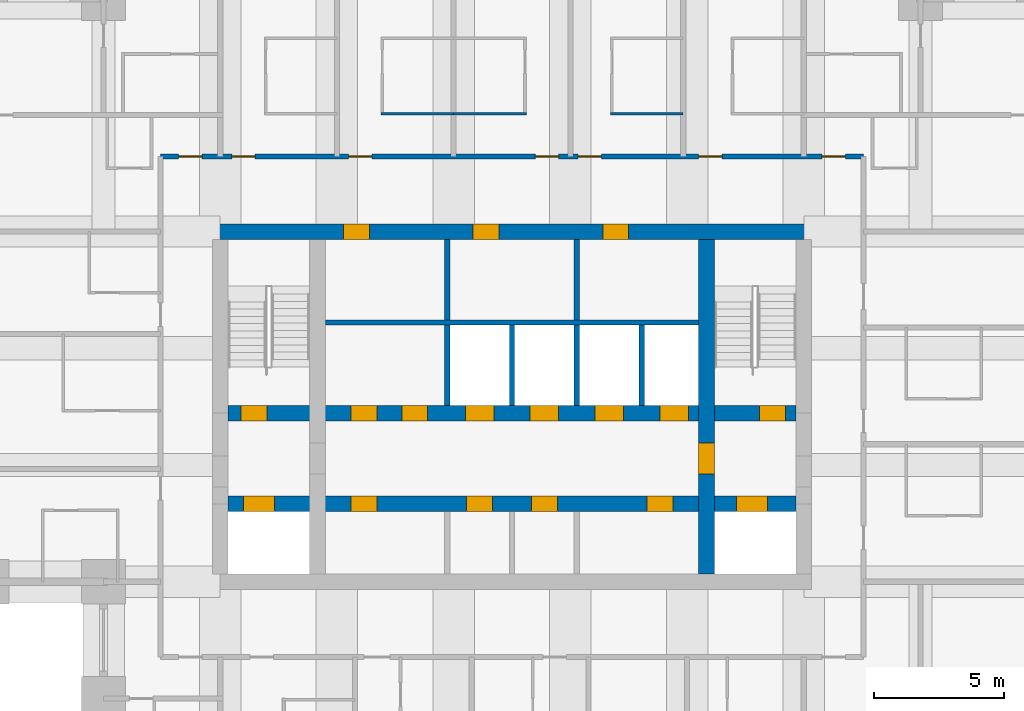
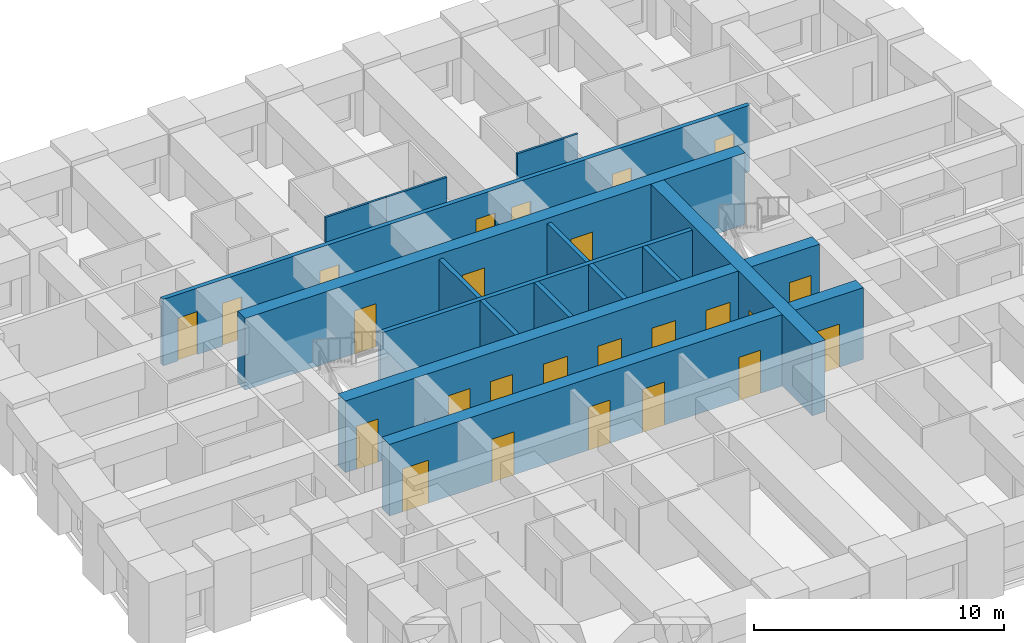
# One storey, part 4 of 8: 25 doors, 15 walls, 25 openings.
"""IFC4 building model written with IfcOpenShell, lengths in metres."""

from ifc_helpers import new_model, si_unit, direction, frame, frame_2d, origin, place, context, subcontext, project, spatial, rectangle, extrude, material, layer, layer_set, type_object, element, fill, save


model = new_model("IFC4")

# Units and contexts
model_context = context("Model", 3, precision=1e-05, world=origin(), true_north=direction((0.0, 1.0)))
body_context = subcontext(model_context, "Body", "Model", "MODEL_VIEW")
ifc_project = project(units=[si_unit("LENGTHUNIT", "METRE"), si_unit("AREAUNIT", "SQUARE_METRE"), si_unit("VOLUMEUNIT", "CUBIC_METRE"), si_unit("PLANEANGLEUNIT", "RADIAN"), si_unit("MASSUNIT", "GRAM", prefix="KILO")], contexts=[model_context])

# Site, building, storey
site_placement = place(None, origin())
site = spatial("IfcSite", under=ifc_project, at=site_placement, CompositionType="ELEMENT")
building_placement = place(site_placement, origin())
building = spatial("IfcBuilding", under=site, at=building_placement, Name="Kilele Tower Hotel", CompositionType="ELEMENT")
storey_placement = place(building_placement, frame((0.0, 0.0, 186.89990234375)))
storey = spatial("IfcBuildingStorey", under=building, at=storey_placement, Name="L48", CompositionType="ELEMENT", Elevation=186.89990234375)

# Walls
ifc_material_1 = material(Name="Moisture-resistant board")
ifc_layer_1 = layer(ifc_material_1, 0.10009765625)
ifc_layer_set_1 = layer_set([ifc_layer_1], Name="Moisture-resistant board")
wall_type_1 = type_object("IfcWallType", Name="Bathroom partition 100", PredefinedType="PLUMBINGWALL", material=ifc_layer_set_1)
for number, where, z_axis, x_axis, name in (
    (1, (19.699951171875, 31.550048828125, 0.0), (0.0, 0.0, 1.0), (1.0, 0.0, 0.0), "Bathroom partition 100 L48"),
    (2, (22.5, 31.550048828125, 0.0), (0.0, 0.0, 1.0), (1.0, 0.0, 0.0), "Bathroom partition 100 L48"),
    (3, (28.550048828125, 31.550048828125, 0.0), (0.0, 0.0, 1.0), (1.0, 0.0, 0.0), "Bathroom partition 100 L48"),
):
    element("IfcWall", number, at=place(storey_placement, frame(where, z_axis=z_axis, x_axis=x_axis)), inside=storey, type_object=wall_type_1, Name=name, PredefinedType="PLUMBINGWALL", context=body_context, shape_type="SweptSolid", body=[
        extrude(rectangle(XDim=2.800048828125, YDim=0.10009765625, at=frame_2d((1.39990234375, 0.0))), origin(), (0.0, 0.0, 1.0), 3.25),
    ])

# Wall, openings, doors
ifc_material_2 = material(Name="Concrete C70/85", Category="concrete")
ifc_layer_2 = layer(ifc_material_2, 0.60009765625)
ifc_layer_set_2 = layer_set([ifc_layer_2], Name="Concrete C70/85")
wall_type_2 = type_object("IfcWallType", Name="Core wall 600 C70/85", PredefinedType="SHEAR", material=ifc_layer_set_2)
wall_1_placement = place(storey_placement, frame((36.300048828125, 27.0, 0.0), z_axis=(0.0, 0.0, 1.0), x_axis=(-1.0, 0.0, 0.0)))
wall_1 = element("IfcWall", 4, at=wall_1_placement, inside=storey, type_object=wall_type_2, Name="Core wall N L48", PredefinedType="SHEAR", context=body_context, shape_type="SweptSolid", body=[
    extrude(rectangle(XDim=23.10009765625, YDim=0.60009765625, at=frame_2d((11.550048828125, 0.0))), origin(), (0.0, 0.0, 1.0), 3.5),
])
opening_1_placement = place(wall_1_placement, frame((17.050048828125, 0.0, 0.0)))
opening_1 = element("IfcOpeningElement", 5, at=opening_1_placement, cuts=wall_1, Name="Opening D6", PredefinedType="OPENING", context=body_context, shape_type="SweptSolid", body=[
    extrude(rectangle(XDim=1.0, YDim=2.10009765625, at=frame_2d((0.5, 1.050048828125))), frame((0.0, 0.31005859375, 0.0), z_axis=(0.0, -1.0, 0.0), x_axis=(1.0, 0.0, 0.0)), (0.0, 0.0, 1.0), 0.6201171875),
])
opening_2_placement = place(wall_1_placement, frame((12.050048828125, 0.0, 0.0)))
opening_2 = element("IfcOpeningElement", 6, at=opening_2_placement, cuts=wall_1, Name="Opening D6", PredefinedType="OPENING", context=body_context, shape_type="SweptSolid", body=[
    extrude(rectangle(XDim=1.0, YDim=2.10009765625, at=frame_2d((0.5, 1.050048828125))), frame((0.0, 0.31005859375, 0.0), z_axis=(0.0, -1.0, 0.0), x_axis=(1.0, 0.0, 0.0)), (0.0, 0.0, 1.0), 0.6201171875),
])
opening_3_placement = place(wall_1_placement, frame((7.050048828125, 0.0, 0.0)))
opening_3 = element("IfcOpeningElement", 7, at=opening_3_placement, cuts=wall_1, Name="Opening D6", PredefinedType="OPENING", context=body_context, shape_type="SweptSolid", body=[
    extrude(rectangle(XDim=1.0, YDim=2.10009765625, at=frame_2d((0.5, 1.050048828125))), frame((0.0, 0.31005859375, 0.0), z_axis=(0.0, -1.0, 0.0), x_axis=(1.0, 0.0, 0.0)), (0.0, 0.0, 1.0), 0.6201171875),
])
ifc_material_3 = material(Name="Timber door leaf in hardwood frame", Category="wood")
door_type_1 = type_object("IfcDoorType", Name="Riser door 1000", OperationType="SINGLE_SWING_LEFT", PredefinedType="DOOR", material=ifc_material_3)
door_1_placement = place(opening_1_placement, origin())
door_1 = element("IfcDoor", 8, at=door_1_placement, inside=storey, type_object=door_type_1, Name="Service riser door L48", OperationType="SINGLE_SWING_RIGHT", OverallHeight=2.10009765625, OverallWidth=1.0, PredefinedType="DOOR", context=body_context, shape_type="SweptSolid", body=[
    extrude(rectangle(XDim=1.0, YDim=2.10009765625, at=frame_2d((0.5, 1.050048828125))), frame((0.0, 0.2998046875, 0.0), z_axis=(0.0, -1.0, 0.0), x_axis=(1.0, 0.0, 0.0)), (0.0, 0.0, 1.0), 0.599609375),
])
fill(opening_1, door_1)
door_2_placement = place(opening_2_placement, origin())
door_2 = element("IfcDoor", 9, at=door_2_placement, inside=storey, type_object=door_type_1, Name="Linen store door L48", OperationType="SINGLE_SWING_RIGHT", OverallHeight=2.10009765625, OverallWidth=1.0, PredefinedType="DOOR", context=body_context, shape_type="SweptSolid", body=[
    extrude(rectangle(XDim=1.0, YDim=2.10009765625, at=frame_2d((0.5, 1.050048828125))), frame((0.0, 0.2998046875, 0.0), z_axis=(0.0, -1.0, 0.0), x_axis=(1.0, 0.0, 0.0)), (0.0, 0.0, 1.0), 0.599609375),
])
fill(opening_2, door_2)
door_3_placement = place(opening_3_placement, origin())
door_3 = element("IfcDoor", 10, at=door_3_placement, inside=storey, type_object=door_type_1, Name="Electrical riser door L48", OperationType="SINGLE_SWING_RIGHT", OverallHeight=2.10009765625, OverallWidth=1.0, PredefinedType="DOOR", context=body_context, shape_type="SweptSolid", body=[
    extrude(rectangle(XDim=1.0, YDim=2.10009765625, at=frame_2d((0.5, 1.050048828125))), frame((0.0, 0.2998046875, 0.0), z_axis=(0.0, -1.0, 0.0), x_axis=(1.0, 0.0, 0.0)), (0.0, 0.0, 1.0), 0.599609375),
])
fill(opening_3, door_3)

# Wall, opening, door
wall_2_placement = place(storey_placement, frame((32.25, 13.800048828125, 0.0), z_axis=(0.0, 0.0, 1.0), x_axis=(0.0, 1.0, 0.0)))
wall_2 = element("IfcWall", 11, at=wall_2_placement, inside=storey, type_object=wall_type_2, Name="Core wall IE L48", PredefinedType="SHEAR", context=body_context, shape_type="SweptSolid", body=[
    extrude(rectangle(XDim=12.89990234375, YDim=0.60009765625, at=frame_2d((6.449951171875, 0.0))), origin(), (0.0, 0.0, 1.0), 3.5),
])
opening_4_placement = place(wall_2_placement, frame((5.050048828125, 0.0, 0.0), z_axis=(0.0, 0.0, 1.0), x_axis=(-1.0, 0.0, 0.0)))
opening_4 = element("IfcOpeningElement", 12, at=opening_4_placement, cuts=wall_2, Name="Opening D4", PredefinedType="OPENING", context=body_context, shape_type="SweptSolid", body=[
    extrude(rectangle(XDim=1.199951171875, YDim=2.10009765625, at=frame_2d((0.60009765625, 1.050048828125))), frame((0.0, 0.31005859375, 0.0), z_axis=(0.0, -1.0, 0.0), x_axis=(1.0, 0.0, 0.0)), (0.0, 0.0, 1.0), 0.6201171875),
])
ifc_material_4 = material(Name="Timber door leaf in hardwood frame", Category="wood")
door_type_2 = type_object("IfcDoorType", Name="Firefighting lobby door 1200", OperationType="SINGLE_SWING_LEFT", PredefinedType="DOOR", material=ifc_material_4)
door_4_placement = place(opening_4_placement, origin())
door_4 = element("IfcDoor", 13, at=door_4_placement, inside=storey, type_object=door_type_2, Name="Lobby door L48", OperationType="SINGLE_SWING_RIGHT", OverallHeight=2.10009765625, OverallWidth=1.199951171875, PredefinedType="DOOR", context=body_context, shape_type="SweptSolid", body=[
    extrude(rectangle(XDim=1.199951171875, YDim=2.10009765625, at=frame_2d((0.60009765625, 1.050048828125))), frame((0.0, 0.2998046875, 0.0), z_axis=(0.0, -1.0, 0.0), x_axis=(1.0, 0.0, 0.0)), (0.0, 0.0, 1.0), 0.599609375),
])
fill(opening_4, door_4)

# Wall, openings, doors
wall_3_placement = place(storey_placement, frame((13.800048828125, 16.5, 0.0), z_axis=(0.0, 0.0, 1.0), x_axis=(1.0, 0.0, 0.0)))
wall_3 = element("IfcWall", 14, at=wall_3_placement, inside=storey, type_object=wall_type_2, Name="Core wall LS L48", PredefinedType="SHEAR", context=body_context, shape_type="SweptSolid", body=[
    extrude(rectangle(XDim=21.89990234375, YDim=0.60009765625, at=frame_2d((10.949951171875, 0.0))), origin(), (0.0, 0.0, 1.0), 3.5),
])
opening_5_placement = place(wall_3_placement, frame((5.75, 0.0, 0.0), z_axis=(0.0, 0.0, 1.0), x_axis=(-1.0, 0.0, 0.0)))
opening_5 = element("IfcOpeningElement", 15, at=opening_5_placement, cuts=wall_3, Name="Opening D11", PredefinedType="OPENING", context=body_context, shape_type="SweptSolid", body=[
    extrude(rectangle(XDim=1.0, YDim=2.10009765625, at=frame_2d((0.5, 1.050048828125))), frame((0.0, 0.31005859375, 0.0), z_axis=(0.0, -1.0, 0.0), x_axis=(1.0, 0.0, 0.0)), (0.0, 0.0, 1.0), 0.6201171875),
])
opening_6_placement = place(wall_3_placement, frame((10.199951171875, 0.0, 0.0), z_axis=(0.0, 0.0, 1.0), x_axis=(-1.0, 0.0, 0.0)))
opening_6 = element("IfcOpeningElement", 16, at=opening_6_placement, cuts=wall_3, Name="Opening D11", PredefinedType="OPENING", context=body_context, shape_type="SweptSolid", body=[
    extrude(rectangle(XDim=1.0, YDim=2.10009765625, at=frame_2d((0.5, 1.050048828125))), frame((0.0, 0.31005859375, 0.0), z_axis=(0.0, -1.0, 0.0), x_axis=(1.0, 0.0, 0.0)), (0.0, 0.0, 1.0), 0.6201171875),
])
opening_7_placement = place(wall_3_placement, frame((12.699951171875, 0.0, 0.0), z_axis=(0.0, 0.0, 1.0), x_axis=(-1.0, 0.0, 0.0)))
opening_7 = element("IfcOpeningElement", 17, at=opening_7_placement, cuts=wall_3, Name="Opening D11", PredefinedType="OPENING", context=body_context, shape_type="SweptSolid", body=[
    extrude(rectangle(XDim=1.0, YDim=2.10009765625, at=frame_2d((0.5, 1.050048828125))), frame((0.0, 0.31005859375, 0.0), z_axis=(0.0, -1.0, 0.0), x_axis=(1.0, 0.0, 0.0)), (0.0, 0.0, 1.0), 0.6201171875),
])
opening_8_placement = place(wall_3_placement, frame((17.14990234375, 0.0, 0.0), z_axis=(0.0, 0.0, 1.0), x_axis=(-1.0, 0.0, 0.0)))
opening_8 = element("IfcOpeningElement", 18, at=opening_8_placement, cuts=wall_3, Name="Opening D11", PredefinedType="OPENING", context=body_context, shape_type="SweptSolid", body=[
    extrude(rectangle(XDim=1.0, YDim=2.10009765625, at=frame_2d((0.5, 1.050048828125))), frame((0.0, 0.31005859375, 0.0), z_axis=(0.0, -1.0, 0.0), x_axis=(1.0, 0.0, 0.0)), (0.0, 0.0, 1.0), 0.6201171875),
])
opening_9_placement = place(wall_3_placement, frame((0.60009765625, 0.0, 0.0)))
opening_9 = element("IfcOpeningElement", 19, at=opening_9_placement, cuts=wall_3, Name="Opening LD2", PredefinedType="OPENING", context=body_context, shape_type="SweptSolid", body=[
    extrude(rectangle(XDim=1.199951171875, YDim=2.10009765625, at=frame_2d((0.60009765625, 1.050048828125))), frame((0.0, 0.31005859375, 0.0), z_axis=(0.0, -1.0, 0.0), x_axis=(1.0, 0.0, 0.0)), (0.0, 0.0, 1.0), 0.6201171875),
])
opening_10_placement = place(wall_3_placement, frame((19.60009765625, 0.0, 0.0)))
opening_10 = element("IfcOpeningElement", 20, at=opening_10_placement, cuts=wall_3, Name="Opening LD2", PredefinedType="OPENING", context=body_context, shape_type="SweptSolid", body=[
    extrude(rectangle(XDim=1.199951171875, YDim=2.10009765625, at=frame_2d((0.60009765625, 1.050048828125))), frame((0.0, 0.31005859375, 0.0), z_axis=(0.0, -1.0, 0.0), x_axis=(1.0, 0.0, 0.0)), (0.0, 0.0, 1.0), 0.6201171875),
])
ifc_material_5 = material(Name="Timber door leaf in hardwood frame", Category="wood")
door_type_3 = type_object("IfcDoorType", Name="Core store door 1000", OperationType="SINGLE_SWING_LEFT", PredefinedType="DOOR", material=ifc_material_5)
door_5_placement = place(opening_5_placement, origin())
door_5 = element("IfcDoor", 21, at=door_5_placement, inside=storey, type_object=door_type_3, Name="Core room door L1 L48", OperationType="SINGLE_SWING_RIGHT", OverallHeight=2.10009765625, OverallWidth=1.0, PredefinedType="DOOR", context=body_context, shape_type="SweptSolid", body=[
    extrude(rectangle(XDim=1.0, YDim=2.10009765625, at=frame_2d((0.5, 1.050048828125))), frame((0.0, 0.2998046875, 0.0), z_axis=(0.0, -1.0, 0.0), x_axis=(1.0, 0.0, 0.0)), (0.0, 0.0, 1.0), 0.599609375),
])
fill(opening_5, door_5)
door_6_placement = place(opening_6_placement, origin())
door_6 = element("IfcDoor", 22, at=door_6_placement, inside=storey, type_object=door_type_3, Name="Core room door L3 L48", OperationType="SINGLE_SWING_RIGHT", OverallHeight=2.10009765625, OverallWidth=1.0, PredefinedType="DOOR", context=body_context, shape_type="SweptSolid", body=[
    extrude(rectangle(XDim=1.0, YDim=2.10009765625, at=frame_2d((0.5, 1.050048828125))), frame((0.0, 0.2998046875, 0.0), z_axis=(0.0, -1.0, 0.0), x_axis=(1.0, 0.0, 0.0)), (0.0, 0.0, 1.0), 0.599609375),
])
fill(opening_6, door_6)
door_7_placement = place(opening_7_placement, origin())
door_7 = element("IfcDoor", 23, at=door_7_placement, inside=storey, type_object=door_type_3, Name="Core room door M1 L48", OperationType="SINGLE_SWING_LEFT", OverallHeight=2.10009765625, OverallWidth=1.0, PredefinedType="DOOR", context=body_context, shape_type="SweptSolid", body=[
    extrude(rectangle(XDim=1.0, YDim=2.10009765625, at=frame_2d((0.5, 1.050048828125))), frame((0.0, 0.2998046875, 0.0), z_axis=(0.0, -1.0, 0.0), x_axis=(1.0, 0.0, 0.0)), (0.0, 0.0, 1.0), 0.599609375),
])
fill(opening_7, door_7)
door_8_placement = place(opening_8_placement, origin())
door_8 = element("IfcDoor", 24, at=door_8_placement, inside=storey, type_object=door_type_3, Name="Core room door M3 L48", OperationType="SINGLE_SWING_LEFT", OverallHeight=2.10009765625, OverallWidth=1.0, PredefinedType="DOOR", context=body_context, shape_type="SweptSolid", body=[
    extrude(rectangle(XDim=1.0, YDim=2.10009765625, at=frame_2d((0.5, 1.050048828125))), frame((0.0, 0.2998046875, 0.0), z_axis=(0.0, -1.0, 0.0), x_axis=(1.0, 0.0, 0.0)), (0.0, 0.0, 1.0), 0.599609375),
])
fill(opening_8, door_8)
ifc_material_6 = material(Name="Steel lift landing door", Category="steel")
door_type_4 = type_object("IfcDoorType", Name="Firefighting lift landing door 1200", OperationType="SLIDING_TO_LEFT", PredefinedType="DOOR", material=ifc_material_6)
door_9_placement = place(opening_9_placement, origin())
door_9 = element("IfcDoor", 25, at=door_9_placement, inside=storey, type_object=door_type_4, Name="Landing door FFW L48", OperationType="SLIDING_TO_LEFT", OverallHeight=2.10009765625, OverallWidth=1.199951171875, PredefinedType="DOOR", context=body_context, shape_type="SweptSolid", body=[
    extrude(rectangle(XDim=1.199951171875, YDim=2.10009765625, at=frame_2d((0.60009765625, 1.050048828125))), frame((0.0, 0.2998046875, 0.0), z_axis=(0.0, -1.0, 0.0), x_axis=(1.0, 0.0, 0.0)), (0.0, 0.0, 1.0), 0.599609375),
])
fill(opening_9, door_9)
door_10_placement = place(opening_10_placement, origin())
door_10 = element("IfcDoor", 26, at=door_10_placement, inside=storey, type_object=door_type_4, Name="Landing door FFE L48", OperationType="SLIDING_TO_LEFT", OverallHeight=2.10009765625, OverallWidth=1.199951171875, PredefinedType="DOOR", context=body_context, shape_type="SweptSolid", body=[
    extrude(rectangle(XDim=1.199951171875, YDim=2.10009765625, at=frame_2d((0.60009765625, 1.050048828125))), frame((0.0, 0.2998046875, 0.0), z_axis=(0.0, -1.0, 0.0), x_axis=(1.0, 0.0, 0.0)), (0.0, 0.0, 1.0), 0.599609375),
])
fill(opening_10, door_10)

wall_4_placement = place(storey_placement, frame((13.800048828125, 20.0, 0.0), z_axis=(0.0, 0.0, 1.0), x_axis=(1.0, 0.0, 0.0)))
wall_4 = element("IfcWall", 27, at=wall_4_placement, inside=storey, type_object=wall_type_2, Name="Core wall LN L48", PredefinedType="SHEAR", context=body_context, shape_type="SweptSolid", body=[
    extrude(rectangle(XDim=21.89990234375, YDim=0.60009765625, at=frame_2d((10.949951171875, 0.0))), origin(), (0.0, 0.0, 1.0), 3.5),
])
opening_11_placement = place(wall_4_placement, frame((0.5, 0.0, 0.0)))
opening_11 = element("IfcOpeningElement", 28, at=opening_11_placement, cuts=wall_4, Name="Opening D5", PredefinedType="OPENING", context=body_context, shape_type="SweptSolid", body=[
    extrude(rectangle(XDim=1.0, YDim=2.10009765625, at=frame_2d((0.5, 1.050048828125))), frame((0.0, 0.31005859375, 0.0), z_axis=(0.0, -1.0, 0.0), x_axis=(1.0, 0.0, 0.0)), (0.0, 0.0, 1.0), 0.6201171875),
])
opening_12_placement = place(wall_4_placement, frame((20.5, 0.0, 0.0)))
opening_12 = element("IfcOpeningElement", 29, at=opening_12_placement, cuts=wall_4, Name="Opening D5", PredefinedType="OPENING", context=body_context, shape_type="SweptSolid", body=[
    extrude(rectangle(XDim=1.0, YDim=2.10009765625, at=frame_2d((0.5, 1.050048828125))), frame((0.0, 0.31005859375, 0.0), z_axis=(0.0, -1.0, 0.0), x_axis=(1.0, 0.0, 0.0)), (0.0, 0.0, 1.0), 0.6201171875),
])
opening_13_placement = place(wall_4_placement, frame((9.14990234375, 0.0, 0.0)))
opening_13 = element("IfcOpeningElement", 30, at=opening_13_placement, cuts=wall_4, Name="Opening LD1", PredefinedType="OPENING", context=body_context, shape_type="SweptSolid", body=[
    extrude(rectangle(XDim=1.10009765625, YDim=2.10009765625, at=frame_2d((0.550048828125, 1.050048828125))), frame((0.0, 0.31005859375, 0.0), z_axis=(0.0, -1.0, 0.0), x_axis=(1.0, 0.0, 0.0)), (0.0, 0.0, 1.0), 0.6201171875),
])
opening_14_placement = place(wall_4_placement, frame((11.64990234375, 0.0, 0.0)))
opening_14 = element("IfcOpeningElement", 31, at=opening_14_placement, cuts=wall_4, Name="Opening LD1", PredefinedType="OPENING", context=body_context, shape_type="SweptSolid", body=[
    extrude(rectangle(XDim=1.10009765625, YDim=2.10009765625, at=frame_2d((0.550048828125, 1.050048828125))), frame((0.0, 0.31005859375, 0.0), z_axis=(0.0, -1.0, 0.0), x_axis=(1.0, 0.0, 0.0)), (0.0, 0.0, 1.0), 0.6201171875),
])
opening_15_placement = place(wall_4_placement, frame((14.14990234375, 0.0, 0.0)))
opening_15 = element("IfcOpeningElement", 32, at=opening_15_placement, cuts=wall_4, Name="Opening LD1", PredefinedType="OPENING", context=body_context, shape_type="SweptSolid", body=[
    extrude(rectangle(XDim=1.10009765625, YDim=2.10009765625, at=frame_2d((0.550048828125, 1.050048828125))), frame((0.0, 0.31005859375, 0.0), z_axis=(0.0, -1.0, 0.0), x_axis=(1.0, 0.0, 0.0)), (0.0, 0.0, 1.0), 0.6201171875),
])
opening_16_placement = place(wall_4_placement, frame((16.64990234375, 0.0, 0.0)))
opening_16 = element("IfcOpeningElement", 33, at=opening_16_placement, cuts=wall_4, Name="Opening LD1", PredefinedType="OPENING", context=body_context, shape_type="SweptSolid", body=[
    extrude(rectangle(XDim=1.10009765625, YDim=2.10009765625, at=frame_2d((0.550048828125, 1.050048828125))), frame((0.0, 0.31005859375, 0.0), z_axis=(0.0, -1.0, 0.0), x_axis=(1.0, 0.0, 0.0)), (0.0, 0.0, 1.0), 0.6201171875),
])
opening_17_placement = place(wall_4_placement, frame((4.75, 0.0, 0.0)))
opening_17 = element("IfcOpeningElement", 34, at=opening_17_placement, cuts=wall_4, Name="Opening D11", PredefinedType="OPENING", context=body_context, shape_type="SweptSolid", body=[
    extrude(rectangle(XDim=1.0, YDim=2.10009765625, at=frame_2d((0.5, 1.050048828125))), frame((0.0, 0.31005859375, 0.0), z_axis=(0.0, -1.0, 0.0), x_axis=(1.0, 0.0, 0.0)), (0.0, 0.0, 1.0), 0.6201171875),
])
opening_18_placement = place(wall_4_placement, frame((6.699951171875, 0.0, 0.0)))
opening_18 = element("IfcOpeningElement", 35, at=opening_18_placement, cuts=wall_4, Name="Opening D11", PredefinedType="OPENING", context=body_context, shape_type="SweptSolid", body=[
    extrude(rectangle(XDim=1.0, YDim=2.10009765625, at=frame_2d((0.5, 1.050048828125))), frame((0.0, 0.31005859375, 0.0), z_axis=(0.0, -1.0, 0.0), x_axis=(1.0, 0.0, 0.0)), (0.0, 0.0, 1.0), 0.6201171875),
])
door_11_placement = place(opening_17_placement, origin())
door_11 = element("IfcDoor", 36, at=door_11_placement, inside=storey, type_object=door_type_3, Name="Core room door S1 L48", OperationType="SINGLE_SWING_LEFT", OverallHeight=2.10009765625, OverallWidth=1.0, PredefinedType="DOOR", context=body_context, shape_type="SweptSolid", body=[
    extrude(rectangle(XDim=1.0, YDim=2.10009765625, at=frame_2d((0.5, 1.050048828125))), frame((0.0, 0.2998046875, 0.0), z_axis=(0.0, -1.0, 0.0), x_axis=(1.0, 0.0, 0.0)), (0.0, 0.0, 1.0), 0.599609375),
])
fill(opening_17, door_11)
door_12_placement = place(opening_18_placement, origin())
door_12 = element("IfcDoor", 37, at=door_12_placement, inside=storey, type_object=door_type_3, Name="Core room door S2 L48", OperationType="SINGLE_SWING_RIGHT", OverallHeight=2.10009765625, OverallWidth=1.0, PredefinedType="DOOR", context=body_context, shape_type="SweptSolid", body=[
    extrude(rectangle(XDim=1.0, YDim=2.10009765625, at=frame_2d((0.5, 1.050048828125))), frame((0.0, 0.2998046875, 0.0), z_axis=(0.0, -1.0, 0.0), x_axis=(1.0, 0.0, 0.0)), (0.0, 0.0, 1.0), 0.599609375),
])
fill(opening_18, door_12)
ifc_material_7 = material(Name="Steel lift landing door", Category="steel")
door_type_5 = type_object("IfcDoorType", Name="Lift landing door 1100", OperationType="SLIDING_TO_LEFT", PredefinedType="DOOR", material=ifc_material_7)
door_13_placement = place(opening_13_placement, origin())
door_13 = element("IfcDoor", 38, at=door_13_placement, inside=storey, type_object=door_type_5, Name="Landing door H1 L48", OperationType="SLIDING_TO_LEFT", OverallHeight=2.10009765625, OverallWidth=1.10009765625, PredefinedType="DOOR", context=body_context, shape_type="SweptSolid", body=[
    extrude(rectangle(XDim=1.10009765625, YDim=2.10009765625, at=frame_2d((0.550048828125, 1.050048828125))), frame((0.0, 0.2998046875, 0.0), z_axis=(0.0, -1.0, 0.0), x_axis=(1.0, 0.0, 0.0)), (0.0, 0.0, 1.0), 0.599609375),
])
fill(opening_13, door_13)
door_14_placement = place(opening_14_placement, origin())
door_14 = element("IfcDoor", 39, at=door_14_placement, inside=storey, type_object=door_type_5, Name="Landing door H2 L48", OperationType="SLIDING_TO_LEFT", OverallHeight=2.10009765625, OverallWidth=1.10009765625, PredefinedType="DOOR", context=body_context, shape_type="SweptSolid", body=[
    extrude(rectangle(XDim=1.10009765625, YDim=2.10009765625, at=frame_2d((0.550048828125, 1.050048828125))), frame((0.0, 0.2998046875, 0.0), z_axis=(0.0, -1.0, 0.0), x_axis=(1.0, 0.0, 0.0)), (0.0, 0.0, 1.0), 0.599609375),
])
fill(opening_14, door_14)
door_15_placement = place(opening_15_placement, origin())
door_15 = element("IfcDoor", 40, at=door_15_placement, inside=storey, type_object=door_type_5, Name="Landing door H3 L48", OperationType="SLIDING_TO_LEFT", OverallHeight=2.10009765625, OverallWidth=1.10009765625, PredefinedType="DOOR", context=body_context, shape_type="SweptSolid", body=[
    extrude(rectangle(XDim=1.10009765625, YDim=2.10009765625, at=frame_2d((0.550048828125, 1.050048828125))), frame((0.0, 0.2998046875, 0.0), z_axis=(0.0, -1.0, 0.0), x_axis=(1.0, 0.0, 0.0)), (0.0, 0.0, 1.0), 0.599609375),
])
fill(opening_15, door_15)
door_16_placement = place(opening_16_placement, origin())
door_16 = element("IfcDoor", 41, at=door_16_placement, inside=storey, type_object=door_type_5, Name="Landing door G1 L48", OperationType="SLIDING_TO_LEFT", OverallHeight=2.10009765625, OverallWidth=1.10009765625, PredefinedType="DOOR", context=body_context, shape_type="SweptSolid", body=[
    extrude(rectangle(XDim=1.10009765625, YDim=2.10009765625, at=frame_2d((0.550048828125, 1.050048828125))), frame((0.0, 0.2998046875, 0.0), z_axis=(0.0, -1.0, 0.0), x_axis=(1.0, 0.0, 0.0)), (0.0, 0.0, 1.0), 0.599609375),
])
fill(opening_16, door_16)
ifc_material_8 = material(Name="Timber door leaf in hardwood frame", Category="wood")
door_type_6 = type_object("IfcDoorType", Name="Stair door 1000", OperationType="SINGLE_SWING_LEFT", PredefinedType="DOOR", material=ifc_material_8)
door_17_placement = place(opening_11_placement, origin())
door_17 = element("IfcDoor", 42, at=door_17_placement, inside=storey, type_object=door_type_6, Name="Stair 1 door L48", OperationType="SINGLE_SWING_LEFT", OverallHeight=2.10009765625, OverallWidth=1.0, PredefinedType="DOOR", context=body_context, shape_type="SweptSolid", body=[
    extrude(rectangle(XDim=1.0, YDim=2.10009765625, at=frame_2d((0.5, 1.050048828125))), frame((0.0, 0.2998046875, 0.0), z_axis=(0.0, -1.0, 0.0), x_axis=(1.0, 0.0, 0.0)), (0.0, 0.0, 1.0), 0.599609375),
])
fill(opening_11, door_17)
door_18_placement = place(opening_12_placement, origin())
door_18 = element("IfcDoor", 43, at=door_18_placement, inside=storey, type_object=door_type_6, Name="Stair 2 door L48", OperationType="SINGLE_SWING_RIGHT", OverallHeight=2.10009765625, OverallWidth=1.0, PredefinedType="DOOR", context=body_context, shape_type="SweptSolid", body=[
    extrude(rectangle(XDim=1.0, YDim=2.10009765625, at=frame_2d((0.5, 1.050048828125))), frame((0.0, 0.2998046875, 0.0), z_axis=(0.0, -1.0, 0.0), x_axis=(1.0, 0.0, 0.0)), (0.0, 0.0, 1.0), 0.599609375),
])
fill(opening_12, door_18)

ifc_material_9 = material(Name="Blockwork, plastered both sides", Category="masonry")
ifc_layer_3 = layer(ifc_material_9, 0.199951171875)
ifc_layer_set_3 = layer_set([ifc_layer_3], Name="Blockwork, plastered both sides")
wall_type_3 = type_object("IfcWallType", Name="Corridor wall 200", PredefinedType="PARTITIONING", material=ifc_layer_set_3)
wall_5_placement = place(storey_placement, frame((11.199951171875, 29.89990234375, 0.0), z_axis=(0.0, 0.0, 1.0), x_axis=(1.0, 0.0, 0.0)))
wall_5 = element("IfcWall", 44, at=wall_5_placement, inside=storey, type_object=wall_type_3, Name="Corridor wall 200 L48", PredefinedType="PARTITIONING", context=body_context, shape_type="SweptSolid", body=[
    extrude(rectangle(XDim=27.10009765625, YDim=0.199951171875, at=frame_2d((13.550048828125, 0.0))), origin(), (0.0, 0.0, 1.0), 3.25),
])
opening_19_placement = place(wall_5_placement, frame((2.75, 0.0, 0.0)))
opening_19 = element("IfcOpeningElement", 45, at=opening_19_placement, cuts=wall_5, Name="Opening D1", PredefinedType="OPENING", context=body_context, shape_type="SweptSolid", body=[
    extrude(rectangle(XDim=0.89990234375, YDim=2.10009765625, at=frame_2d((0.449951171875, 1.050048828125))), frame((0.0, 0.10986328125, 0.0), z_axis=(0.0, -1.0, 0.0), x_axis=(1.0, 0.0, 0.0)), (0.0, 0.0, 1.0), 0.219970703125),
])
opening_20_placement = place(wall_5_placement, frame((7.25, 0.0, 0.0)))
opening_20 = element("IfcOpeningElement", 46, at=opening_20_placement, cuts=wall_5, Name="Opening D1", PredefinedType="OPENING", context=body_context, shape_type="SweptSolid", body=[
    extrude(rectangle(XDim=0.89990234375, YDim=2.10009765625, at=frame_2d((0.449951171875, 1.050048828125))), frame((0.0, 0.10986328125, 0.0), z_axis=(0.0, -1.0, 0.0), x_axis=(1.0, 0.0, 0.0)), (0.0, 0.0, 1.0), 0.219970703125),
])
opening_21_placement = place(wall_5_placement, frame((14.449951171875, 0.0, 0.0)))
opening_21 = element("IfcOpeningElement", 47, at=opening_21_placement, cuts=wall_5, Name="Opening D1", PredefinedType="OPENING", context=body_context, shape_type="SweptSolid", body=[
    extrude(rectangle(XDim=0.89990234375, YDim=2.10009765625, at=frame_2d((0.449951171875, 1.050048828125))), frame((0.0, 0.10986328125, 0.0), z_axis=(0.0, -1.0, 0.0), x_axis=(1.0, 0.0, 0.0)), (0.0, 0.0, 1.0), 0.219970703125),
])
opening_22_placement = place(wall_5_placement, frame((16.10009765625, 0.0, 0.0)))
opening_22 = element("IfcOpeningElement", 48, at=opening_22_placement, cuts=wall_5, Name="Opening D1", PredefinedType="OPENING", context=body_context, shape_type="SweptSolid", body=[
    extrude(rectangle(XDim=0.89990234375, YDim=2.10009765625, at=frame_2d((0.449951171875, 1.050048828125))), frame((0.0, 0.10986328125, 0.0), z_axis=(0.0, -1.0, 0.0), x_axis=(1.0, 0.0, 0.0)), (0.0, 0.0, 1.0), 0.219970703125),
])
opening_23_placement = place(wall_5_placement, frame((20.75, 0.0, 0.0)))
opening_23 = element("IfcOpeningElement", 49, at=opening_23_placement, cuts=wall_5, Name="Opening D1", PredefinedType="OPENING", context=body_context, shape_type="SweptSolid", body=[
    extrude(rectangle(XDim=0.89990234375, YDim=2.10009765625, at=frame_2d((0.449951171875, 1.050048828125))), frame((0.0, 0.10986328125, 0.0), z_axis=(0.0, -1.0, 0.0), x_axis=(1.0, 0.0, 0.0)), (0.0, 0.0, 1.0), 0.219970703125),
])
opening_24_placement = place(wall_5_placement, frame((25.5, 0.0, 0.0)))
opening_24 = element("IfcOpeningElement", 50, at=opening_24_placement, cuts=wall_5, Name="Opening D1", PredefinedType="OPENING", context=body_context, shape_type="SweptSolid", body=[
    extrude(rectangle(XDim=0.89990234375, YDim=2.10009765625, at=frame_2d((0.449951171875, 1.050048828125))), frame((0.0, 0.10986328125, 0.0), z_axis=(0.0, -1.0, 0.0), x_axis=(1.0, 0.0, 0.0)), (0.0, 0.0, 1.0), 0.219970703125),
])
opening_25_placement = place(wall_5_placement, frame((0.699951171875, 0.0, 0.0)))
opening_25 = element("IfcOpeningElement", 51, at=opening_25_placement, cuts=wall_5, Name="Opening D1", PredefinedType="OPENING", context=body_context, shape_type="SweptSolid", body=[
    extrude(rectangle(XDim=0.89990234375, YDim=2.10009765625, at=frame_2d((0.449951171875, 1.050048828125))), frame((0.0, 0.10986328125, 0.0), z_axis=(0.0, -1.0, 0.0), x_axis=(1.0, 0.0, 0.0)), (0.0, 0.0, 1.0), 0.219970703125),
])
ifc_material_10 = material(Name="Timber door leaf in hardwood frame", Category="wood")
door_type_7 = type_object("IfcDoorType", Name="Guest room entrance door 900", OperationType="SINGLE_SWING_LEFT", PredefinedType="DOOR", material=ifc_material_10)
door_19_placement = place(opening_19_placement, origin())
door_19 = element("IfcDoor", 52, at=door_19_placement, inside=storey, type_object=door_type_7, Name="Room entrance 4809", OperationType="SINGLE_SWING_LEFT", OverallHeight=2.10009765625, OverallWidth=0.89990234375, PredefinedType="DOOR", context=body_context, shape_type="SweptSolid", body=[
    extrude(rectangle(XDim=0.89990234375, YDim=2.10009765625, at=frame_2d((0.449951171875, 1.050048828125))), frame((0.0, 0.02490234375, 0.0), z_axis=(0.0, -1.0, 0.0), x_axis=(1.0, 0.0, 0.0)), (0.0, 0.0, 1.0), 0.050048828125),
])
fill(opening_19, door_19)
door_20_placement = place(opening_20_placement, origin())
door_20 = element("IfcDoor", 53, at=door_20_placement, inside=storey, type_object=door_type_7, Name="Room entrance 4810", OperationType="SINGLE_SWING_LEFT", OverallHeight=2.10009765625, OverallWidth=0.89990234375, PredefinedType="DOOR", context=body_context, shape_type="SweptSolid", body=[
    extrude(rectangle(XDim=0.89990234375, YDim=2.10009765625, at=frame_2d((0.449951171875, 1.050048828125))), frame((0.0, 0.02490234375, 0.0), z_axis=(0.0, -1.0, 0.0), x_axis=(1.0, 0.0, 0.0)), (0.0, 0.0, 1.0), 0.050048828125),
])
fill(opening_20, door_20)
door_21_placement = place(opening_21_placement, origin())
door_21 = element("IfcDoor", 54, at=door_21_placement, inside=storey, type_object=door_type_7, Name="Room entrance 4811", OperationType="SINGLE_SWING_RIGHT", OverallHeight=2.10009765625, OverallWidth=0.89990234375, PredefinedType="DOOR", context=body_context, shape_type="SweptSolid", body=[
    extrude(rectangle(XDim=0.89990234375, YDim=2.10009765625, at=frame_2d((0.449951171875, 1.050048828125))), frame((0.0, 0.02490234375, 0.0), z_axis=(0.0, -1.0, 0.0), x_axis=(1.0, 0.0, 0.0)), (0.0, 0.0, 1.0), 0.050048828125),
])
fill(opening_21, door_21)
door_22_placement = place(opening_22_placement, origin())
door_22 = element("IfcDoor", 55, at=door_22_placement, inside=storey, type_object=door_type_7, Name="Room entrance 4812", OperationType="SINGLE_SWING_LEFT", OverallHeight=2.10009765625, OverallWidth=0.89990234375, PredefinedType="DOOR", context=body_context, shape_type="SweptSolid", body=[
    extrude(rectangle(XDim=0.89990234375, YDim=2.10009765625, at=frame_2d((0.449951171875, 1.050048828125))), frame((0.0, 0.02490234375, 0.0), z_axis=(0.0, -1.0, 0.0), x_axis=(1.0, 0.0, 0.0)), (0.0, 0.0, 1.0), 0.050048828125),
])
fill(opening_22, door_22)
door_23_placement = place(opening_23_placement, origin())
door_23 = element("IfcDoor", 56, at=door_23_placement, inside=storey, type_object=door_type_7, Name="Room entrance 4813", OperationType="SINGLE_SWING_LEFT", OverallHeight=2.10009765625, OverallWidth=0.89990234375, PredefinedType="DOOR", context=body_context, shape_type="SweptSolid", body=[
    extrude(rectangle(XDim=0.89990234375, YDim=2.10009765625, at=frame_2d((0.449951171875, 1.050048828125))), frame((0.0, 0.02490234375, 0.0), z_axis=(0.0, -1.0, 0.0), x_axis=(1.0, 0.0, 0.0)), (0.0, 0.0, 1.0), 0.050048828125),
])
fill(opening_23, door_23)
door_24_placement = place(opening_24_placement, origin())
door_24 = element("IfcDoor", 57, at=door_24_placement, inside=storey, type_object=door_type_7, Name="Room entrance 4822", OperationType="SINGLE_SWING_LEFT", OverallHeight=2.10009765625, OverallWidth=0.89990234375, PredefinedType="DOOR", context=body_context, shape_type="SweptSolid", body=[
    extrude(rectangle(XDim=0.89990234375, YDim=2.10009765625, at=frame_2d((0.449951171875, 1.050048828125))), frame((0.0, 0.02490234375, 0.0), z_axis=(0.0, -1.0, 0.0), x_axis=(1.0, 0.0, 0.0)), (0.0, 0.0, 1.0), 0.050048828125),
])
fill(opening_24, door_24)
door_25_placement = place(opening_25_placement, origin())
door_25 = element("IfcDoor", 58, at=door_25_placement, inside=storey, type_object=door_type_7, Name="Room entrance 4825", OperationType="SINGLE_SWING_RIGHT", OverallHeight=2.10009765625, OverallWidth=0.89990234375, PredefinedType="DOOR", context=body_context, shape_type="SweptSolid", body=[
    extrude(rectangle(XDim=0.89990234375, YDim=2.10009765625, at=frame_2d((0.449951171875, 1.050048828125))), frame((0.0, 0.02490234375, 0.0), z_axis=(0.0, -1.0, 0.0), x_axis=(1.0, 0.0, 0.0)), (0.0, 0.0, 1.0), 0.050048828125),
])
fill(opening_25, door_25)

# Walls
ifc_material_11 = material(Name="Blockwork, fire-rated", Category="masonry")
ifc_layer_4 = layer(ifc_material_11, 0.199951171875)
ifc_layer_set_4 = layer_set([ifc_layer_4], Name="Blockwork, fire-rated")
wall_type_4 = type_object("IfcWallType", Name="Shaft wall 200", PredefinedType="PARTITIONING", material=ifc_layer_set_4)
for number, where, z_axis, x_axis, name in (
    (59, (22.25, 20.300048828125, 0.0), (0.0, 0.0, 1.0), (0.0, 1.0, 0.0), "Shaft wall 200 L48"),
    (60, (24.75, 20.300048828125, 0.0), (0.0, 0.0, 1.0), (0.0, 1.0, 0.0), "Shaft wall 200 L48"),
    (61, (27.25, 20.300048828125, 0.0), (0.0, 0.0, 1.0), (0.0, 1.0, 0.0), "Shaft wall 200 L48"),
    (62, (29.75, 20.300048828125, 0.0), (0.0, 0.0, 1.0), (0.0, 1.0, 0.0), "Shaft wall 200 L48"),
):
    element("IfcWall", number, at=place(storey_placement, frame(where, z_axis=z_axis, x_axis=x_axis)), inside=storey, type_object=wall_type_4, Name=name, PredefinedType="PARTITIONING", context=body_context, shape_type="SweptSolid", body=[
        extrude(rectangle(XDim=3.099853515625, YDim=0.199951171875, at=frame_2d((1.5498046875, 0.0))), origin(), (0.0, 0.0, 1.0), 3.25),
    ])
wall_6_placement = place(storey_placement, frame((17.550048828125, 23.5, 0.0), z_axis=(0.0, 0.0, 1.0), x_axis=(1.0, 0.0, 0.0)))
element("IfcWall", 63, at=wall_6_placement, inside=storey, type_object=wall_type_4, Name="Shaft wall 200 L48", PredefinedType="PARTITIONING", context=body_context, shape_type="SweptSolid", body=[
    extrude(rectangle(XDim=14.39990234375, YDim=0.199951171875, at=frame_2d((7.199951171875, 0.0))), origin(), (0.0, 0.0, 1.0), 3.25),
])
for number, where, z_axis, x_axis, name in (
    (64, (22.25, 23.60009765625, 0.0), (0.0, 0.0, 1.0), (0.0, 1.0, 0.0), "Shaft wall 200 L48"),
    (65, (27.25, 23.60009765625, 0.0), (0.0, 0.0, 1.0), (0.0, 1.0, 0.0), "Shaft wall 200 L48"),
):
    element("IfcWall", number, at=place(storey_placement, frame(where, z_axis=z_axis, x_axis=x_axis)), inside=storey, type_object=wall_type_4, Name=name, PredefinedType="PARTITIONING", context=body_context, shape_type="SweptSolid", body=[
        extrude(rectangle(XDim=3.099853515625, YDim=0.199951171875, at=frame_2d((1.5498046875, 0.0))), origin(), (0.0, 0.0, 1.0), 3.25),
    ])

save(model, "model.ifc")
